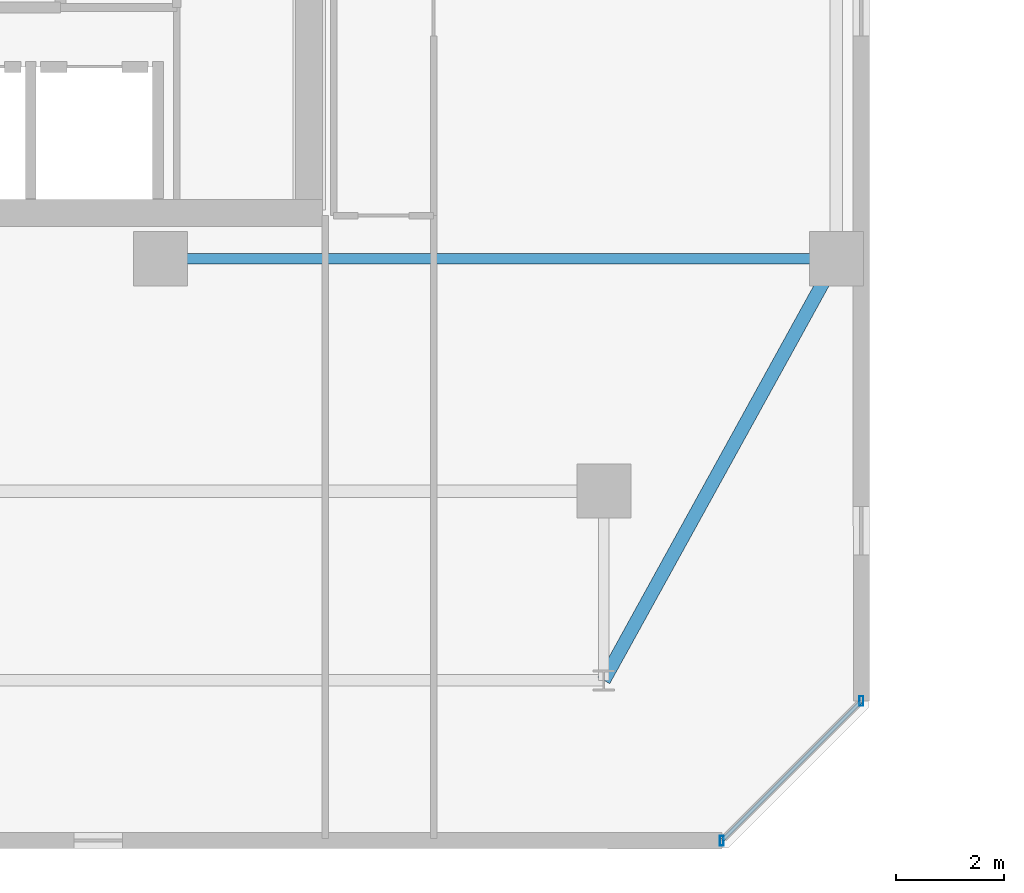
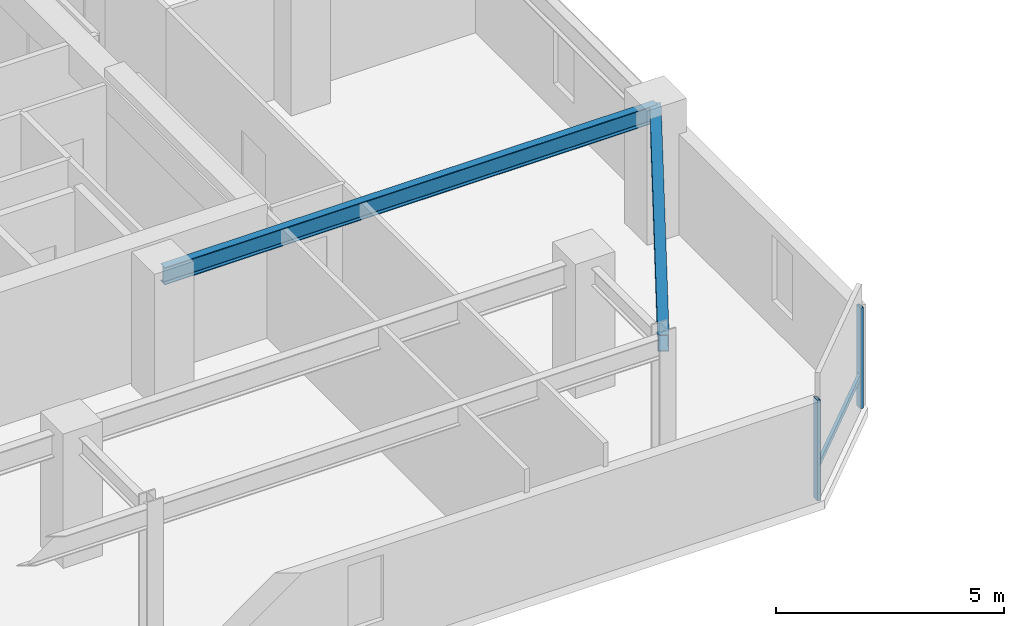
# One storey, part 5 of 32: 3 members, 2 beams, 1 element without a shape of its own.
"""IFC4 building model written with IfcOpenShell, lengths in metres."""

from ifc_helpers import new_model, si_unit, direction, frame, origin, origin_2d, place, context, subcontext, project, spatial, hollow_rectangle, i_section, extrude, material, material_profile, profile_set, type_object, element, aggregate, save


model = new_model("IFC4")

# Units and contexts
model_context = context("Model", 3, precision=1e-05, world=origin(), true_north=direction((0.0, 1.0)))
body_context = subcontext(model_context, "Body", "Model", "MODEL_VIEW")
ifc_project = project(units=[si_unit("LENGTHUNIT", "METRE"), si_unit("AREAUNIT", "SQUARE_METRE"), si_unit("VOLUMEUNIT", "CUBIC_METRE"), si_unit("PLANEANGLEUNIT", "RADIAN"), si_unit("MASSUNIT", "GRAM", prefix="KILO")], contexts=[model_context])

# Site, building, storey
site_placement = place(None, origin())
site = spatial("IfcSite", under=ifc_project, at=site_placement, CompositionType="ELEMENT")
building_placement = place(site_placement, origin())
building = spatial("IfcBuilding", under=site, at=building_placement, Name="Thornwick Lancets Civic Towers", CompositionType="ELEMENT")
storey_placement = place(building_placement, frame((0.0, 0.0, 243.89990234375)))
storey = spatial("IfcBuildingStorey", under=building, at=storey_placement, Name="L65", CompositionType="ELEMENT", Elevation=243.89990234375)

# Beams
ifc_material_1 = material(Name="Steel S355JR", Category="steel")
ifc_material_profile_1 = material_profile(ifc_material_1, i_section(OverallWidth=0.19287109375, OverallDepth=0.46728515625, WebThickness=0.011474609375, FlangeThickness=0.01953125, FilletRadius=0.01025390625, at=origin_2d()), Name="UKB 457x191x98")
ifc_profile_set_1 = profile_set([ifc_material_profile_1], Name="Steel S355JR")
beam_type_1 = type_object("IfcBeamType", Name="BM_JOIST_457_98", PredefinedType="JOIST", material=ifc_profile_set_1)
beam_1_placement = place(storey_placement, frame((30.300048828125, 14.0, 3.12646484375), z_axis=(1.0, 0.0, 0.0), x_axis=(0.0, 1.0, 0.0)))
element("IfcBeam", 1, at=beam_1_placement, inside=storey, type_object=beam_type_1, Name="BM-RADIN-L65-A04", PredefinedType="JOIST", context=body_context, shape_type="SweptSolid", body=[
    extrude(i_section(OverallWidth=0.19287109375, OverallDepth=0.46728515625, WebThickness=0.011474609375, FlangeThickness=0.01953125, FilletRadius=0.01025390625, at=origin_2d()), origin(), (0.0, 0.0, 1.0), 12.5),
])
ifc_material_profile_2 = material_profile(ifc_material_1, hollow_rectangle(XDim=0.25, YDim=0.449951171875, WallThickness=0.01611328125, at=origin_2d()), Name="RHS 450x250x16")
ifc_profile_set_2 = profile_set([ifc_material_profile_2], Name="Steel S355JR")
beam_type_2 = type_object("IfcBeamType", Name="BM_RING_RHS450", PredefinedType="BEAM", material=ifc_profile_set_2)
beam_2_placement = place(storey_placement, frame((38.5, 6.199951171875, 3.135009765625), z_axis=(0.482782395749, 0.875740348708, 0.0), x_axis=(-0.875740348708, 0.482782395749, 0.0)))
element("IfcBeam", 2, at=beam_2_placement, inside=storey, type_object=beam_type_2, Name="BM-CHAMF-L65-A-C0", PredefinedType="BEAM", context=body_context, shape_type="SweptSolid", body=[
    extrude(hollow_rectangle(XDim=0.25, YDim=0.449951171875, WallThickness=0.01611328125, at=origin_2d()), origin(), (0.0, 0.0, 1.0), 8.90673828125),
])

# Curtain wall, members
ifc_material_2 = material(Name="High-zone chamfered-corner unitised glass curtain wall", Category="glass")
curtain_wall_type = type_object("IfcCurtainWallType", Name="CW_SYS_05", PredefinedType="NOTDEFINED", material=ifc_material_2)
curtain_wall_placement = place(storey_placement, origin())
curtain_wall = element("IfcCurtainWall", 3, at=curtain_wall_placement, inside=storey, type_object=curtain_wall_type, Name="L65 Curtain Wall CW-L65-A-E1", PredefinedType="NOTDEFINED")
ifc_material_3 = material(Name="Thermally broken bronze aluminium S355", Category="steel")
ifc_material_profile_3 = material_profile(ifc_material_3, hollow_rectangle(XDim=0.074951171875, YDim=0.179931640625, WallThickness=0.006103515625, at=origin_2d()), Name="RHS 180x75x6")
ifc_profile_set_3 = profile_set([ifc_material_profile_3], Name="Thermally broken bronze aluminium S355")
member_type_1 = type_object("IfcMemberType", Name="CW_MUL_180", PredefinedType="MULLION", material=ifc_profile_set_3)
member_1_placement = place(storey_placement, frame((40.681396484375, 3.2353515625, 0.0), z_axis=(0.0, 0.0, 1.0), x_axis=(1.0, 0.0, 0.0)))
member_1 = element("IfcMember", 4, at=member_1_placement, type_object=member_type_1, Name="CW-L65-A-E1 Mullion 0", PredefinedType="MULLION", context=body_context, shape_type="SweptSolid", body=[
    extrude(hollow_rectangle(XDim=0.074951171875, YDim=0.179931640625, WallThickness=0.006103515625, at=origin_2d()), origin(), (0.0, 0.0, 1.0), 2.7001953125),
])
member_2_placement = place(storey_placement, frame((43.2646484375, 5.818603515625, 0.0), z_axis=(0.0, 0.0, 1.0), x_axis=(1.0, 0.0, 0.0)))
member_2 = element("IfcMember", 5, at=member_2_placement, type_object=member_type_1, Name="CW-L65-A-E1 Mullion 1", PredefinedType="MULLION", context=body_context, shape_type="SweptSolid", body=[
    extrude(hollow_rectangle(XDim=0.074951171875, YDim=0.179931640625, WallThickness=0.006103515625, at=origin_2d()), origin(), (0.0, 0.0, 1.0), 2.7001953125),
])
ifc_material_profile_4 = material_profile(ifc_material_3, hollow_rectangle(XDim=0.074951171875, YDim=0.14990234375, WallThickness=0.0048828125, at=origin_2d()), Name="RHS 150x75x5")
ifc_profile_set_4 = profile_set([ifc_material_profile_4], Name="Thermally broken bronze aluminium S355")
member_type_2 = type_object("IfcMemberType", Name="CW_TRN_150", PredefinedType="USERDEFINED", material=ifc_profile_set_4)
member_3_placement = place(storey_placement, frame((40.695556640625, 3.24951171875, 0.85009765625), z_axis=(0.707106781187, 0.707106781187, 0.0), x_axis=(-0.707106781187, 0.707106781187, 0.0)))
member_3 = element("IfcMember", 6, at=member_3_placement, type_object=member_type_2, Name="CW-L65-A-E1 Transom 0", ObjectType="TRANSOM", PredefinedType="USERDEFINED", context=body_context, shape_type="SweptSolid", body=[
    extrude(hollow_rectangle(XDim=0.074951171875, YDim=0.14990234375, WallThickness=0.0048828125, at=origin_2d()), origin(), (0.0, 0.0, 1.0), 3.61328125),
])
aggregate(curtain_wall, [member_1, member_2, member_3])

save(model, "model.ifc")
